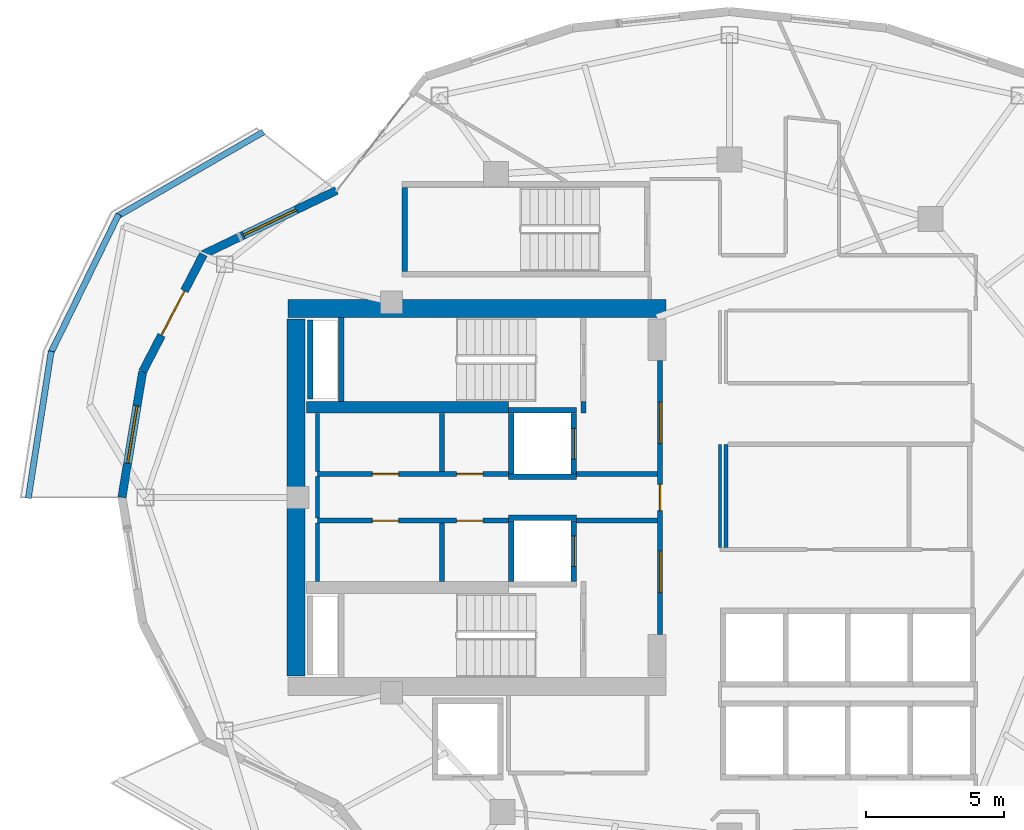
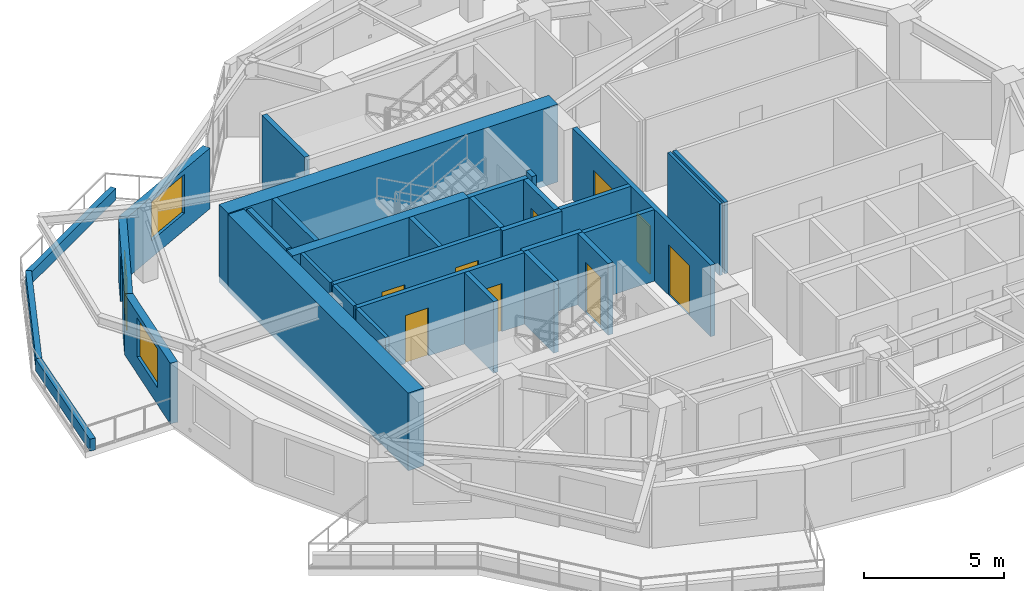
# One storey, part 7 of 13: 32 walls, 10 doors, 2 windows, 12 openings.
"""IFC4 building model written with IfcOpenShell, lengths in metres."""

from ifc_helpers import new_model, si_unit, direction, frame, frame_2d, origin, place, context, subcontext, project, spatial, rectangle, extrude, material, layer, layer_set, type_object, element, fill, save


model = new_model("IFC4")

# Units and contexts
model_context = context("Model", 3, precision=1e-05, world=origin(), true_north=direction((0.0, 1.0)))
body_context = subcontext(model_context, "Body", "Model", "MODEL_VIEW")
ifc_project = project(units=[si_unit("LENGTHUNIT", "METRE"), si_unit("AREAUNIT", "SQUARE_METRE"), si_unit("VOLUMEUNIT", "CUBIC_METRE"), si_unit("PLANEANGLEUNIT", "RADIAN"), si_unit("MASSUNIT", "GRAM", prefix="KILO")], contexts=[model_context])

# Site, building, storey
site_placement = place(None, origin())
site = spatial("IfcSite", under=ifc_project, at=site_placement, CompositionType="ELEMENT")
building_placement = place(site_placement, origin())
building = spatial("IfcBuilding", under=site, at=building_placement, Name="Kolvaren Gate Tower and Convention Centre", CompositionType="ELEMENT")
storey_placement = place(building_placement, frame((0.0, 0.0, 142.699951171875)))
storey = spatial("IfcBuildingStorey", under=building, at=storey_placement, Name="L36", CompositionType="ELEMENT", Elevation=142.699951171875)

# Wall
ifc_material_1 = material(Name="Autoclaved Aerated Masonry Blockwork Class 4 (4.0 MPa)", Category="masonry")
ifc_layer_1 = layer(ifc_material_1, 0.179931640625)
ifc_layer_set_1 = layer_set([ifc_layer_1], Name="Autoclaved Aerated Masonry Blockwork Class 4 (4.0 MPa)")
wall_type_1 = type_object("IfcWallType", Name="ARCH-WL-COMP-180", PredefinedType="SOLIDWALL", material=ifc_layer_set_1)
wall_1_placement = place(storey_placement, frame((24.85009765625, 30.0400390625, 0.0), z_axis=(0.0, 0.0, 1.0), x_axis=(0.0, 1.0, 0.0)))
element("IfcWall", 1, at=wall_1_placement, inside=storey, type_object=wall_type_1, Name="Interior Partition WL-L36-INT-002", PredefinedType="SOLIDWALL", context=body_context, shape_type="SweptSolid", body=[
    extrude(rectangle(XDim=0.419921875, YDim=0.179931640625, at=frame_2d((0.2099609375, 0.0))), origin(), (0.0, 0.0, 1.0), 3.130126953125),
])

# Wall, openings, doors
wall_2_placement = place(storey_placement, frame((27.6201171875, 22.050048828125, 0.0), z_axis=(0.0, 0.0, 1.0), x_axis=(0.0, 1.0, 0.0)))
wall_2 = element("IfcWall", 2, at=wall_2_placement, inside=storey, type_object=wall_type_1, Name="Interior Partition WL-L36-INT-003", PredefinedType="SOLIDWALL", context=body_context, shape_type="SweptSolid", body=[
    extrude(rectangle(XDim=9.89990234375, YDim=0.179931640625, at=frame_2d((4.949951171875, 0.0))), origin(), (0.0, 0.0, 1.0), 3.130126953125),
])
opening_1_placement = place(wall_2_placement, frame((4.47509765625, 0.0, 0.0)))
opening_1 = element("IfcOpeningElement", 3, at=opening_1_placement, cuts=wall_2, Name="Opening DR-01", PredefinedType="OPENING", context=body_context, shape_type="SweptSolid", body=[
    extrude(rectangle(XDim=0.949951171875, YDim=2.10009765625, at=frame_2d((0.47509765625, 1.050048828125))), frame((0.0, 0.099853515625, 0.0), z_axis=(0.0, -1.0, 0.0), x_axis=(1.0, 0.0, 0.0)), (0.0, 0.0, 1.0), 0.199951171875),
])
opening_2_placement = place(wall_2_placement, frame((6.889892578125, 0.0, 0.0)))
opening_2 = element("IfcOpeningElement", 4, at=opening_2_placement, cuts=wall_2, Name="Opening DL-01", PredefinedType="OPENING", context=body_context, shape_type="SweptSolid", body=[
    extrude(rectangle(XDim=1.5, YDim=2.199951171875, at=frame_2d((0.75, 1.10009765625))), frame((0.0, 0.099853515625, 0.0), z_axis=(0.0, -1.0, 0.0), x_axis=(1.0, 0.0, 0.0)), (0.0, 0.0, 1.0), 0.199951171875),
])
opening_3_placement = place(wall_2_placement, frame((1.510009765625, 0.0, 0.0)))
opening_3 = element("IfcOpeningElement", 5, at=opening_3_placement, cuts=wall_2, Name="Opening DL-01", PredefinedType="OPENING", context=body_context, shape_type="SweptSolid", body=[
    extrude(rectangle(XDim=1.5, YDim=2.199951171875, at=frame_2d((0.75, 1.10009765625))), frame((0.0, 0.099853515625, 0.0), z_axis=(0.0, -1.0, 0.0), x_axis=(1.0, 0.0, 0.0)), (0.0, 0.0, 1.0), 0.199951171875),
])
ifc_material_2 = material(Name="Painted Architectural Steelwork ASTM A500 Grade C 345 MPa", Category="steel")
door_type_1 = type_object("IfcDoorType", Name="ARCH-DR-LOBBY-1500", OperationType="DOUBLE_DOOR_SINGLE_SWING", PredefinedType="DOOR", material=ifc_material_2)
door_1_placement = place(opening_2_placement, origin())
door_1 = element("IfcDoor", 6, at=door_1_placement, inside=storey, type_object=door_type_1, Name="North Firefighting Stair and Lift Lobby Door", OperationType="DOUBLE_DOOR_SINGLE_SWING", OverallHeight=2.199951171875, OverallWidth=1.5, PredefinedType="DOOR", context=body_context, shape_type="SweptSolid", body=[
    extrude(rectangle(XDim=1.5, YDim=2.199951171875, at=frame_2d((0.75, 1.10009765625))), frame((0.0, 0.02490234375, 0.0), z_axis=(0.0, -1.0, 0.0), x_axis=(1.0, 0.0, 0.0)), (0.0, 0.0, 1.0), 0.050048828125),
])
fill(opening_2, door_1)
door_2_placement = place(opening_3_placement, origin())
door_2 = element("IfcDoor", 7, at=door_2_placement, inside=storey, type_object=door_type_1, Name="South Firefighting Stair and Lift Lobby Door", OperationType="DOUBLE_DOOR_SINGLE_SWING", OverallHeight=2.199951171875, OverallWidth=1.5, PredefinedType="DOOR", context=body_context, shape_type="SweptSolid", body=[
    extrude(rectangle(XDim=1.5, YDim=2.199951171875, at=frame_2d((0.75, 1.10009765625))), frame((0.0, 0.02490234375, 0.0), z_axis=(0.0, -1.0, 0.0), x_axis=(1.0, 0.0, 0.0)), (0.0, 0.0, 1.0), 0.050048828125),
])
fill(opening_3, door_2)
door_type_2 = type_object("IfcDoorType", Name="ARCH-DR-RISER-950", OperationType="SINGLE_SWING_RIGHT", PredefinedType="DOOR", material=ifc_material_2)
door_3_placement = place(opening_1_placement, origin())
door_3 = element("IfcDoor", 8, at=door_3_placement, inside=storey, type_object=door_type_2, Name="Central MEP Service Corridor Door", OperationType="SINGLE_SWING_RIGHT", OverallHeight=2.10009765625, OverallWidth=0.949951171875, PredefinedType="DOOR", context=body_context, shape_type="SweptSolid", body=[
    extrude(rectangle(XDim=0.949951171875, YDim=2.10009765625, at=frame_2d((0.47509765625, 1.050048828125))), frame((0.0, 0.02490234375, 0.0), z_axis=(0.0, -1.0, 0.0), x_axis=(1.0, 0.0, 0.0)), (0.0, 0.0, 1.0), 0.050048828125),
])
fill(opening_1, door_3)

wall_3_placement = place(storey_placement, frame((15.25, 27.840087890625, 0.0), z_axis=(0.0, 0.0, 1.0), x_axis=(1.0, 0.0, 0.0)))
wall_3 = element("IfcWall", 9, at=wall_3_placement, inside=storey, type_object=wall_type_1, Name="Interior Partition WL-L36-INT-004", PredefinedType="SOLIDWALL", context=body_context, shape_type="SweptSolid", body=[
    extrude(rectangle(XDim=6.89990234375, YDim=0.179931640625, at=frame_2d((3.449951171875, 0.0))), origin(), (0.0, 0.0, 1.0), 3.130126953125),
])
opening_4_placement = place(wall_3_placement, frame((5.02001953125, 0.0, 0.0)))
opening_4 = element("IfcOpeningElement", 10, at=opening_4_placement, cuts=wall_3, Name="Opening DR-01", PredefinedType="OPENING", context=body_context, shape_type="SweptSolid", body=[
    extrude(rectangle(XDim=0.949951171875, YDim=2.10009765625, at=frame_2d((0.47509765625, 1.050048828125))), frame((0.0, 0.099853515625, 0.0), z_axis=(0.0, -1.0, 0.0), x_axis=(1.0, 0.0, 0.0)), (0.0, 0.0, 1.0), 0.199951171875),
])
opening_5_placement = place(wall_3_placement, frame((1.97998046875, 0.0, 0.0)))
opening_5 = element("IfcOpeningElement", 11, at=opening_5_placement, cuts=wall_3, Name="Opening DR-01", PredefinedType="OPENING", context=body_context, shape_type="SweptSolid", body=[
    extrude(rectangle(XDim=0.949951171875, YDim=2.10009765625, at=frame_2d((0.47509765625, 1.050048828125))), frame((0.0, 0.099853515625, 0.0), z_axis=(0.0, -1.0, 0.0), x_axis=(1.0, 0.0, 0.0)), (0.0, 0.0, 1.0), 0.199951171875),
])
door_4_placement = place(opening_4_placement, origin())
door_4 = element("IfcDoor", 12, at=door_4_placement, inside=storey, type_object=door_type_2, Name="Electrical Switchgear Closet Door", OperationType="SINGLE_SWING_LEFT", OverallHeight=2.10009765625, OverallWidth=0.949951171875, PredefinedType="DOOR", context=body_context, shape_type="SweptSolid", body=[
    extrude(rectangle(XDim=0.949951171875, YDim=2.10009765625, at=frame_2d((0.47509765625, 1.050048828125))), frame((0.0, 0.02490234375, 0.0), z_axis=(0.0, -1.0, 0.0), x_axis=(1.0, 0.0, 0.0)), (0.0, 0.0, 1.0), 0.050048828125),
])
fill(opening_4, door_4)
door_5_placement = place(opening_5_placement, origin())
door_5 = element("IfcDoor", 13, at=door_5_placement, inside=storey, type_object=door_type_2, Name="Staff Powder Washroom Door", OperationType="SINGLE_SWING_LEFT", OverallHeight=2.10009765625, OverallWidth=0.949951171875, PredefinedType="DOOR", context=body_context, shape_type="SweptSolid", body=[
    extrude(rectangle(XDim=0.949951171875, YDim=2.10009765625, at=frame_2d((0.47509765625, 1.050048828125))), frame((0.0, 0.02490234375, 0.0), z_axis=(0.0, -1.0, 0.0), x_axis=(1.0, 0.0, 0.0)), (0.0, 0.0, 1.0), 0.050048828125),
])
fill(opening_5, door_5)

# Wall
wall_4_placement = place(storey_placement, frame((24.60009765625, 27.840087890625, 0.0), z_axis=(0.0, 0.0, 1.0), x_axis=(1.0, 0.0, 0.0)))
element("IfcWall", 14, at=wall_4_placement, inside=storey, type_object=wall_type_1, Name="Interior Partition WL-L36-INT-004 (2)", PredefinedType="SOLIDWALL", context=body_context, shape_type="SweptSolid", body=[
    extrude(rectangle(XDim=2.927978515625, YDim=0.179931640625, at=frame_2d((1.4638671875, 0.0))), origin(), (0.0, 0.0, 1.0), 3.130126953125),
])

# Wall, openings, doors
wall_5_placement = place(storey_placement, frame((15.25, 26.159912109375, 0.0), z_axis=(0.0, 0.0, 1.0), x_axis=(1.0, 0.0, 0.0)))
wall_5 = element("IfcWall", 15, at=wall_5_placement, inside=storey, type_object=wall_type_1, Name="Interior Partition WL-L36-INT-005", PredefinedType="SOLIDWALL", context=body_context, shape_type="SweptSolid", body=[
    extrude(rectangle(XDim=6.89990234375, YDim=0.179931640625, at=frame_2d((3.449951171875, 0.0))), origin(), (0.0, 0.0, 1.0), 3.130126953125),
])
opening_6_placement = place(wall_5_placement, frame((5.02001953125, 0.0, 0.0)))
opening_6 = element("IfcOpeningElement", 16, at=opening_6_placement, cuts=wall_5, Name="Opening DR-01", PredefinedType="OPENING", context=body_context, shape_type="SweptSolid", body=[
    extrude(rectangle(XDim=0.949951171875, YDim=2.10009765625, at=frame_2d((0.47509765625, 1.050048828125))), frame((0.0, 0.099853515625, 0.0), z_axis=(0.0, -1.0, 0.0), x_axis=(1.0, 0.0, 0.0)), (0.0, 0.0, 1.0), 0.199951171875),
])
opening_7_placement = place(wall_5_placement, frame((1.97998046875, 0.0, 0.0)))
opening_7 = element("IfcOpeningElement", 17, at=opening_7_placement, cuts=wall_5, Name="Opening DR-01", PredefinedType="OPENING", context=body_context, shape_type="SweptSolid", body=[
    extrude(rectangle(XDim=0.949951171875, YDim=2.10009765625, at=frame_2d((0.47509765625, 1.050048828125))), frame((0.0, 0.099853515625, 0.0), z_axis=(0.0, -1.0, 0.0), x_axis=(1.0, 0.0, 0.0)), (0.0, 0.0, 1.0), 0.199951171875),
])
door_6_placement = place(opening_6_placement, origin())
door_6 = element("IfcDoor", 18, at=door_6_placement, inside=storey, type_object=door_type_2, Name="Domestic Water Meter Closet Door", OperationType="SINGLE_SWING_RIGHT", OverallHeight=2.10009765625, OverallWidth=0.949951171875, PredefinedType="DOOR", context=body_context, shape_type="SweptSolid", body=[
    extrude(rectangle(XDim=0.949951171875, YDim=2.10009765625, at=frame_2d((0.47509765625, 1.050048828125))), frame((0.0, 0.02490234375, 0.0), z_axis=(0.0, -1.0, 0.0), x_axis=(1.0, 0.0, 0.0)), (0.0, 0.0, 1.0), 0.050048828125),
])
fill(opening_6, door_6)
door_7_placement = place(opening_7_placement, origin())
door_7 = element("IfcDoor", 19, at=door_7_placement, inside=storey, type_object=door_type_2, Name="Janitor Equipment Store Door", OperationType="SINGLE_SWING_RIGHT", OverallHeight=2.10009765625, OverallWidth=0.949951171875, PredefinedType="DOOR", context=body_context, shape_type="SweptSolid", body=[
    extrude(rectangle(XDim=0.949951171875, YDim=2.10009765625, at=frame_2d((0.47509765625, 1.050048828125))), frame((0.0, 0.02490234375, 0.0), z_axis=(0.0, -1.0, 0.0), x_axis=(1.0, 0.0, 0.0)), (0.0, 0.0, 1.0), 0.050048828125),
])
fill(opening_7, door_7)

# Walls
wall_6_placement = place(storey_placement, frame((24.60009765625, 26.159912109375, 0.0), z_axis=(0.0, 0.0, 1.0), x_axis=(1.0, 0.0, 0.0)))
element("IfcWall", 20, at=wall_6_placement, inside=storey, type_object=wall_type_1, Name="Interior Partition WL-L36-INT-005 (2)", PredefinedType="SOLIDWALL", context=body_context, shape_type="SweptSolid", body=[
    extrude(rectangle(XDim=2.927978515625, YDim=0.179931640625, at=frame_2d((1.4638671875, 0.0))), origin(), (0.0, 0.0, 1.0), 3.130126953125),
])
for number, where, z_axis, x_axis, name in (
    (21, (19.75, 23.9619140625, 0.0), (0.0, 0.0, 1.0), (0.0, 1.0, 0.0), "Interior Partition WL-L36-INT-007"),
    (22, (19.75, 27.931884765625, 0.0), (0.0, 0.0, 1.0), (0.0, 1.0, 0.0), "Interior Partition WL-L36-INT-008"),
):
    element("IfcWall", number, at=place(storey_placement, frame(where, z_axis=z_axis, x_axis=x_axis)), inside=storey, type_object=wall_type_1, Name=name, PredefinedType="SOLIDWALL", context=body_context, shape_type="SweptSolid", body=[
        extrude(rectangle(XDim=2.106201171875, YDim=0.179931640625, at=frame_2d((1.05322265625, 0.0))), origin(), (0.0, 0.0, 1.0), 3.130126953125),
    ])
ifc_material_3 = material(Name="Fire-Rated Acoustic Gypsum Stud Partition", Category="gypsum")
ifc_layer_2 = layer(ifc_material_3, 0.1201171875)
ifc_layer_set_2 = layer_set([ifc_layer_2], Name="Fire-Rated Acoustic Gypsum Stud Partition")
wall_type_2 = type_object("IfcWallType", Name="ARCH-WL-PART-120", PredefinedType="PARTITIONING", material=ifc_layer_set_2)
wall_7_placement = place(storey_placement, frame((29.780029296875, 25.197021484375, 0.0), z_axis=(0.0, 0.0, 1.0), x_axis=(0.0, 1.0, 0.0)))
element("IfcWall", 23, at=wall_7_placement, inside=storey, type_object=wall_type_2, Name="Interior Partition WL-L36-INT-035", PredefinedType="PARTITIONING", context=body_context, shape_type="SweptSolid", body=[
    extrude(rectangle(XDim=3.722900390625, YDim=0.1201171875, at=frame_2d((1.861328125, 0.0))), origin(), (0.0, 0.0, 1.0), 3.130126953125),
])
ifc_material_4 = material(Name="Piedmont Cream Honed Limestone Cladding", Category="masonry")
ifc_layer_3 = layer(ifc_material_4, 0.219970703125)
ifc_layer_set_3 = layer_set([ifc_layer_3], Name="Piedmont Cream Honed Limestone Cladding")
wall_type_3 = type_object("IfcWallType", Name="ARCH-WL-PLANTER-220", PredefinedType="PARAPET", material=ifc_layer_set_3)
wall_8_placement = place(storey_placement, frame((8.0439453125, 37.16552734375, 0.0), z_axis=(0.0, 0.0, 1.0), x_axis=(0.866058128659, 0.499943314571, 0.0)))
element("IfcWall", 24, at=wall_8_placement, inside=storey, type_object=wall_type_3, Name="Vertical-Forest Balcony Stone Planter Kerb PK-L36-2.1", PredefinedType="PARAPET", context=body_context, shape_type="SweptSolid", body=[
    extrude(rectangle(XDim=6.060302734375, YDim=0.219970703125, at=frame_2d((3.0302734375, 0.0))), origin(), (0.0, 0.0, 1.0), 0.52001953125),
])
wall_9_placement = place(storey_placement, frame((5.6220703125, 32.22119140625, 0.0), z_axis=(0.0, 0.0, 1.0), x_axis=(0.439637174641, 0.898175458735, 0.0)))
element("IfcWall", 25, at=wall_9_placement, inside=storey, type_object=wall_type_3, Name="Vertical-Forest Balcony Stone Planter Kerb PK-L36-2.2", PredefinedType="PARAPET", context=body_context, shape_type="SweptSolid", body=[
    extrude(rectangle(XDim=5.567138671875, YDim=0.219970703125, at=frame_2d((2.78369140625, 0.0))), origin(), (0.0, 0.0, 1.0), 0.52001953125),
])
wall_10_placement = place(storey_placement, frame((4.805908203125, 26.970703125, 0.0), z_axis=(0.0, 0.0, 1.0), x_axis=(0.154245214003, 0.988032597619, 0.0)))
element("IfcWall", 26, at=wall_10_placement, inside=storey, type_object=wall_type_3, Name="Vertical-Forest Balcony Stone Planter Kerb PK-L36-2.3", PredefinedType="PARAPET", context=body_context, shape_type="SweptSolid", body=[
    extrude(rectangle(XDim=5.37353515625, YDim=0.219970703125, at=frame_2d((2.686767578125, 0.0))), origin(), (0.0, 0.0, 1.0), 0.52001953125),
])
ifc_layer_4 = layer(ifc_material_1, 0.199951171875)
ifc_layer_set_4 = layer_set([ifc_layer_4], Name="Autoclaved Aerated Masonry Blockwork Class 4 (4.0 MPa)")
wall_type_4 = type_object("IfcWallType", Name="ARCH-WL-SHAFT-200", PredefinedType="SOLIDWALL", material=ifc_layer_set_4)
for number, where, z_axis, x_axis, name in (
    (27, (22.14990234375, 30.139892578125, 0.0), (0.0, 0.0, 1.0), (1.0, 0.0, 0.0), "Elevator FF-01 L36 Fire Shaft Wall N"),
    (28, (22.14990234375, 27.739990234375, 0.0), (0.0, 0.0, 1.0), (1.0, 0.0, 0.0), "Elevator FF-01 L36 Fire Shaft Wall S"),
):
    element("IfcWall", number, at=place(storey_placement, frame(where, z_axis=z_axis, x_axis=x_axis)), inside=storey, type_object=wall_type_4, Name=name, PredefinedType="SOLIDWALL", context=body_context, shape_type="SweptSolid", body=[
        extrude(rectangle(XDim=2.4501953125, YDim=0.199951171875, at=frame_2d((1.22509765625, 0.0))), origin(), (0.0, 0.0, 1.0), 3.130126953125),
    ])
wall_11_placement = place(storey_placement, frame((22.25, 27.85009765625, 0.0), z_axis=(0.0, 0.0, 1.0), x_axis=(0.0, 1.0, 0.0)))
element("IfcWall", 29, at=wall_11_placement, inside=storey, type_object=wall_type_4, Name="Elevator FF-01 L36 Fire Shaft Wall W", PredefinedType="SOLIDWALL", context=body_context, shape_type="SweptSolid", body=[
    extrude(rectangle(XDim=2.179931640625, YDim=0.199951171875, at=frame_2d((1.08984375, 0.0))), origin(), (0.0, 0.0, 1.0), 3.130126953125),
])

# Wall, opening, door
wall_12_placement = place(storey_placement, frame((24.5, 27.85009765625, 0.0), z_axis=(0.0, 0.0, 1.0), x_axis=(0.0, 1.0, 0.0)))
wall_12 = element("IfcWall", 30, at=wall_12_placement, inside=storey, type_object=wall_type_4, Name="Elevator FF-01 L36 Fire Shaft Wall E", PredefinedType="SOLIDWALL", context=body_context, shape_type="SweptSolid", body=[
    extrude(rectangle(XDim=2.179931640625, YDim=0.199951171875, at=frame_2d((1.08984375, 0.0))), origin(), (0.0, 0.0, 1.0), 3.130126953125),
])
opening_8_placement = place(wall_12_placement, frame((0.5400390625, 0.0, 0.0)))
opening_8 = element("IfcOpeningElement", 31, at=opening_8_placement, cuts=wall_12, Name="Opening LD", PredefinedType="OPENING", context=body_context, shape_type="SweptSolid", body=[
    extrude(rectangle(XDim=1.10009765625, YDim=2.199951171875, at=frame_2d((0.550048828125, 1.10009765625))), frame((0.0, 0.10986328125, 0.0), z_axis=(0.0, -1.0, 0.0), x_axis=(1.0, 0.0, 0.0)), (0.0, 0.0, 1.0), 0.219970703125),
])
ifc_material_5 = material(Name="Brushed Stainless Steel Grade 316L", Category="steel")
door_type_3 = type_object("IfcDoorType", Name="ARCH-DR-LIFT-1100", OperationType="SLIDING_TO_LEFT", PredefinedType="DOOR", material=ifc_material_5)
door_8_placement = place(opening_8_placement, origin())
door_8 = element("IfcDoor", 32, at=door_8_placement, inside=storey, type_object=door_type_3, Name="Elevator FF-01 L36 Sliding Landing Door", OperationType="SLIDING_TO_LEFT", OverallHeight=2.199951171875, OverallWidth=1.10009765625, PredefinedType="DOOR", context=body_context, shape_type="SweptSolid", body=[
    extrude(rectangle(XDim=1.10009765625, YDim=2.199951171875, at=frame_2d((0.550048828125, 1.10009765625))), frame((0.0, 0.02490234375, 0.0), z_axis=(0.0, -1.0, 0.0), x_axis=(1.0, 0.0, 0.0)), (0.0, 0.0, 1.0), 0.050048828125),
])
fill(opening_8, door_8)

# Walls
wall_13_placement = place(storey_placement, frame((22.14990234375, 26.260009765625, 0.0), z_axis=(0.0, 0.0, 1.0), x_axis=(1.0, 0.0, 0.0)))
element("IfcWall", 33, at=wall_13_placement, inside=storey, type_object=wall_type_4, Name="Elevator FF-02 L36 Fire Shaft Wall N", PredefinedType="SOLIDWALL", context=body_context, shape_type="SweptSolid", body=[
    extrude(rectangle(XDim=2.4501953125, YDim=0.199951171875, at=frame_2d((1.22509765625, 0.0))), origin(), (0.0, 0.0, 1.0), 3.130126953125),
])
wall_14_placement = place(storey_placement, frame((22.25, 23.969970703125, 0.0), z_axis=(0.0, 0.0, 1.0), x_axis=(0.0, 1.0, 0.0)))
element("IfcWall", 34, at=wall_14_placement, inside=storey, type_object=wall_type_4, Name="Elevator FF-02 L36 Fire Shaft Wall W", PredefinedType="SOLIDWALL", context=body_context, shape_type="SweptSolid", body=[
    extrude(rectangle(XDim=2.179931640625, YDim=0.199951171875, at=frame_2d((1.08984375, 0.0))), origin(), (0.0, 0.0, 1.0), 3.130126953125),
])

# Wall, opening, door
wall_15_placement = place(storey_placement, frame((24.5, 23.969970703125, 0.0), z_axis=(0.0, 0.0, 1.0), x_axis=(0.0, 1.0, 0.0)))
wall_15 = element("IfcWall", 35, at=wall_15_placement, inside=storey, type_object=wall_type_4, Name="Elevator FF-02 L36 Fire Shaft Wall E", PredefinedType="SOLIDWALL", context=body_context, shape_type="SweptSolid", body=[
    extrude(rectangle(XDim=2.179931640625, YDim=0.199951171875, at=frame_2d((1.08984375, 0.0))), origin(), (0.0, 0.0, 1.0), 3.130126953125),
])
opening_9_placement = place(wall_15_placement, frame((0.5400390625, 0.0, 0.0)))
opening_9 = element("IfcOpeningElement", 36, at=opening_9_placement, cuts=wall_15, Name="Opening LD", PredefinedType="OPENING", context=body_context, shape_type="SweptSolid", body=[
    extrude(rectangle(XDim=1.10009765625, YDim=2.199951171875, at=frame_2d((0.550048828125, 1.10009765625))), frame((0.0, 0.10986328125, 0.0), z_axis=(0.0, -1.0, 0.0), x_axis=(1.0, 0.0, 0.0)), (0.0, 0.0, 1.0), 0.219970703125),
])
door_9_placement = place(opening_9_placement, origin())
door_9 = element("IfcDoor", 37, at=door_9_placement, inside=storey, type_object=door_type_3, Name="Elevator FF-02 L36 Sliding Landing Door", OperationType="SLIDING_TO_LEFT", OverallHeight=2.199951171875, OverallWidth=1.10009765625, PredefinedType="DOOR", context=body_context, shape_type="SweptSolid", body=[
    extrude(rectangle(XDim=1.10009765625, YDim=2.199951171875, at=frame_2d((0.550048828125, 1.10009765625))), frame((0.0, 0.02490234375, 0.0), z_axis=(0.0, -1.0, 0.0), x_axis=(1.0, 0.0, 0.0)), (0.0, 0.0, 1.0), 0.050048828125),
])
fill(opening_9, door_9)

# Wall
wall_16_placement = place(storey_placement, frame((14.989990234375, 30.550048828125, 0.0), z_axis=(0.0, 0.0, 1.0), x_axis=(0.0, 1.0, 0.0)))
element("IfcWall", 38, at=wall_16_placement, inside=storey, type_object=wall_type_4, Name="Vertical Shaft HVR L36 EI-120 Enclosure Wall W", PredefinedType="SOLIDWALL", context=body_context, shape_type="SweptSolid", body=[
    extrude(rectangle(XDim=2.849853515625, YDim=0.199951171875, at=frame_2d((1.4248046875, 0.0))), origin(), (0.0, 0.0, 1.0), 3.130126953125),
])

# Wall, opening, window
ifc_layer_5 = layer(ifc_material_4, 0.300048828125)
ifc_layer_set_5 = layer_set([ifc_layer_5], Name="Piedmont Cream Honed Limestone Cladding")
wall_type_5 = type_object("IfcWallType", Name="ARCH-WL-STONE-300", PredefinedType="SOLIDWALL", material=ifc_layer_set_5)
wall_17_placement = place(storey_placement, frame((11.126708984375, 35.77490234375, 0.0), z_axis=(0.0, 0.0, 1.0), x_axis=(0.901353070301, 0.433085029363, 0.0)))
wall_17 = element("IfcWall", 39, at=wall_17_placement, inside=storey, type_object=wall_type_5, Name="Tower L36 Honed Stone Spandrel Wall EW-09", PredefinedType="SOLIDWALL", context=body_context, shape_type="SweptSolid", body=[
    extrude(rectangle(XDim=5.336181640625, YDim=0.300048828125, at=frame_2d((2.66796875, 0.0))), origin(), (0.0, 0.0, 1.0), 2.653076171875),
])
opening_10_placement = place(wall_17_placement, frame((1.617919921875, 0.0, 0.739990234375)))
opening_10 = element("IfcOpeningElement", 40, at=opening_10_placement, cuts=wall_17, Name="Opening W-02", PredefinedType="OPENING", context=body_context, shape_type="SweptSolid", body=[
    extrude(rectangle(XDim=2.10009765625, YDim=1.699951171875, at=frame_2d((1.050048828125, 0.85009765625))), frame((0.0, 0.159912109375, 0.0), z_axis=(0.0, -1.0, 0.0), x_axis=(1.0, 0.0, 0.0)), (0.0, 0.0, 1.0), 0.320068359375),
])
ifc_material_6 = material(Name="Low-E Triple Insulated Glazing Unit 44 mm", Category="glass")
window_type = type_object("IfcWindowType", Name="ARCH-WN-HTL-2100", PartitioningType="SINGLE_PANEL", PredefinedType="WINDOW", material=ifc_material_6)
window_1_placement = place(opening_10_placement, origin())
window_1 = element("IfcWindow", 41, at=window_1_placement, inside=storey, type_object=window_type, Name="Tower L36 Punched Stone Facade Window W-09", OverallHeight=1.699951171875, OverallWidth=2.10009765625, PartitioningType="SINGLE_PANEL", PredefinedType="WINDOW", context=body_context, shape_type="SweptSolid", body=[
    extrude(rectangle(XDim=2.10009765625, YDim=1.699951171875, at=frame_2d((1.050048828125, 0.85009765625))), frame((0.0, 0.030029296875, 0.0), z_axis=(0.0, -1.0, 0.0), x_axis=(1.0, 0.0, 0.0)), (0.0, 0.0, 1.0), 0.06005859375),
])
fill(opening_10, window_1)

# Wall, opening, door
wall_18_placement = place(storey_placement, frame((8.93505859375, 31.542236328125, 0.0), z_axis=(0.0, 0.0, 1.0), x_axis=(0.459810251451, 0.888017191647, 0.0)))
wall_18 = element("IfcWall", 42, at=wall_18_placement, inside=storey, type_object=wall_type_5, Name="Tower L36 Honed Stone Spandrel Wall EW-10", PredefinedType="SOLIDWALL", context=body_context, shape_type="SweptSolid", body=[
    extrude(rectangle(XDim=4.766357421875, YDim=0.300048828125, at=frame_2d((2.38330078125, 0.0))), origin(), (0.0, 0.0, 1.0), 2.653076171875),
])
opening_11_placement = place(wall_18_placement, frame((1.48291015625, 0.0, 0.0)))
opening_11 = element("IfcOpeningElement", 43, at=opening_11_placement, cuts=wall_18, Name="Opening DB-01", PredefinedType="OPENING", context=body_context, shape_type="SweptSolid", body=[
    extrude(rectangle(XDim=1.800048828125, YDim=2.25, at=frame_2d((0.89990234375, 1.125))), frame((0.0, 0.159912109375, 0.0), z_axis=(0.0, -1.0, 0.0), x_axis=(1.0, 0.0, 0.0)), (0.0, 0.0, 1.0), 0.320068359375),
])
ifc_material_7 = material(Name="Anodized Architectural Aluminium Alloy 6063-T6", Category="aluminium")
door_type_4 = type_object("IfcDoorType", Name="ARCH-DR-BALC-1800", OperationType="SLIDING_TO_LEFT", PredefinedType="DOOR", material=ifc_material_7)
door_10_placement = place(opening_11_placement, origin())
door_10 = element("IfcDoor", 44, at=door_10_placement, inside=storey, type_object=door_type_4, Name="Planted Sky Terrace Access Door DB-L36-10", OperationType="SLIDING_TO_LEFT", OverallHeight=2.25, OverallWidth=1.800048828125, PredefinedType="DOOR", context=body_context, shape_type="SweptSolid", body=[
    extrude(rectangle(XDim=1.800048828125, YDim=2.25, at=frame_2d((0.89990234375, 1.125))), frame((0.0, 0.02490234375, 0.0), z_axis=(0.0, -1.0, 0.0), x_axis=(1.0, 0.0, 0.0)), (0.0, 0.0, 1.0), 0.050048828125),
])
fill(opening_11, door_10)

# Wall, opening, window
wall_19_placement = place(storey_placement, frame((8.1875, 27.0, 0.0), z_axis=(0.0, 0.0, 1.0), x_axis=(0.162394765401, 0.986725868806, 0.0)))
wall_19 = element("IfcWall", 45, at=wall_19_placement, inside=storey, type_object=wall_type_5, Name="Tower L36 Honed Stone Spandrel Wall EW-11", PredefinedType="SOLIDWALL", context=body_context, shape_type="SweptSolid", body=[
    extrude(rectangle(XDim=4.603271484375, YDim=0.300048828125, at=frame_2d((2.3017578125, 0.0))), origin(), (0.0, 0.0, 1.0), 2.653076171875),
])
opening_12_placement = place(wall_19_placement, frame((1.251953125, 0.0, 0.739990234375)))
opening_12 = element("IfcOpeningElement", 46, at=opening_12_placement, cuts=wall_19, Name="Opening W-02", PredefinedType="OPENING", context=body_context, shape_type="SweptSolid", body=[
    extrude(rectangle(XDim=2.10009765625, YDim=1.699951171875, at=frame_2d((1.050048828125, 0.85009765625))), frame((0.0, 0.159912109375, 0.0), z_axis=(0.0, -1.0, 0.0), x_axis=(1.0, 0.0, 0.0)), (0.0, 0.0, 1.0), 0.320068359375),
])
window_2_placement = place(opening_12_placement, origin())
window_2 = element("IfcWindow", 47, at=window_2_placement, inside=storey, type_object=window_type, Name="Tower L36 Punched Stone Facade Window W-11", OverallHeight=1.699951171875, OverallWidth=2.10009765625, PartitioningType="SINGLE_PANEL", PredefinedType="WINDOW", context=body_context, shape_type="SweptSolid", body=[
    extrude(rectangle(XDim=2.10009765625, YDim=1.699951171875, at=frame_2d((1.050048828125, 0.85009765625))), frame((0.0, 0.030029296875, 0.0), z_axis=(0.0, -1.0, 0.0), x_axis=(1.0, 0.0, 0.0)), (0.0, 0.0, 1.0), 0.06005859375),
])
fill(opening_12, window_2)

# Walls
ifc_material_8 = material(Name="Moisture-Resistant Cement-Board Acoustic Partition", Category="gypsum")
ifc_layer_6 = layer(ifc_material_8, 0.14990234375)
ifc_layer_set_6 = layer_set([ifc_layer_6], Name="Moisture-Resistant Cement-Board Acoustic Partition")
wall_type_6 = type_object("IfcWallType", Name="ARCH-WL-WET-150", PredefinedType="PARTITIONING", material=ifc_layer_set_6)
wall_20_placement = place(storey_placement, frame((15.25, 23.9619140625, 0.0), z_axis=(0.0, 0.0, 1.0), x_axis=(0.0, 1.0, 0.0)))
element("IfcWall", 48, at=wall_20_placement, inside=storey, type_object=wall_type_6, Name="Interior Partition WL-L36-INT-006", PredefinedType="PARTITIONING", context=body_context, shape_type="SweptSolid", body=[
    extrude(rectangle(XDim=2.106201171875, YDim=0.14990234375, at=frame_2d((1.05322265625, 0.0))), origin(), (0.0, 0.0, 1.0), 3.130126953125),
])
wall_21_placement = place(storey_placement, frame((15.25, 26.251953125, 0.0), z_axis=(0.0, 0.0, 1.0), x_axis=(0.0, 1.0, 0.0)))
element("IfcWall", 49, at=wall_21_placement, inside=storey, type_object=wall_type_6, Name="Interior Partition WL-L36-INT-006 (2)", PredefinedType="PARTITIONING", context=body_context, shape_type="SweptSolid", body=[
    extrude(rectangle(XDim=1.49609375, YDim=0.14990234375, at=frame_2d((0.748046875, 0.0))), origin(), (0.0, 0.0, 1.0), 3.130126953125),
])
wall_22_placement = place(storey_placement, frame((15.25, 27.931884765625, 0.0), z_axis=(0.0, 0.0, 1.0), x_axis=(0.0, 1.0, 0.0)))
element("IfcWall", 50, at=wall_22_placement, inside=storey, type_object=wall_type_6, Name="Interior Partition WL-L36-INT-006 (3)", PredefinedType="PARTITIONING", context=body_context, shape_type="SweptSolid", body=[
    extrude(rectangle(XDim=2.106201171875, YDim=0.14990234375, at=frame_2d((1.05322265625, 0.0))), origin(), (0.0, 0.0, 1.0), 3.130126953125),
])
wall_23_placement = place(storey_placement, frame((30.0, 25.197021484375, 0.0), z_axis=(0.0, 0.0, 1.0), x_axis=(0.0, 1.0, 0.0)))
element("IfcWall", 51, at=wall_23_placement, inside=storey, type_object=wall_type_6, Name="Interior Partition WL-L36-INT-014", PredefinedType="PARTITIONING", context=body_context, shape_type="SweptSolid", body=[
    extrude(rectangle(XDim=3.722900390625, YDim=0.14990234375, at=frame_2d((1.861328125, 0.0))), origin(), (0.0, 0.0, 1.0), 3.130126953125),
])
ifc_material_9 = material(Name="Concrete C50/60", Category="concrete")
ifc_layer_7 = layer(ifc_material_9, 0.419921875)
ifc_layer_set_7 = layer_set([ifc_layer_7], Name="Concrete C50/60")
wall_type_7 = type_object("IfcWallType", Name="STR-WL-CONV-420", PredefinedType="SHEAR", material=ifc_layer_set_7)
wall_24_placement = place(storey_placement, frame((14.85009765625, 30.25, -0.27001953125), z_axis=(0.0, 0.0, 1.0), x_axis=(1.0, 0.0, 0.0)))
element("IfcWall", 52, at=wall_24_placement, inside=storey, type_object=wall_type_7, Name="Tower L36 Offset Core Shear Wall WN", PredefinedType="SHEAR", context=body_context, shape_type="SweptSolid", body=[
    extrude(rectangle(XDim=7.2998046875, YDim=0.419921875, at=frame_2d((3.64990234375, 0.0))), origin(), (0.0, 0.0, 1.0), 3.400146484375),
])
ifc_material_10 = material(Name="Concrete C60/75", Category="concrete")
ifc_layer_8 = layer(ifc_material_10, 0.64990234375)
ifc_layer_set_8 = layer_set([ifc_layer_8], Name="Concrete C60/75")
wall_type_8 = type_object("IfcWallType", Name="STR-WL-CORE-650", PredefinedType="SHEAR", material=ifc_layer_set_8)
wall_25_placement = place(storey_placement, frame((14.175048828125, 33.824951171875, -0.27001953125), z_axis=(0.0, 0.0, 1.0), x_axis=(1.0, 0.0, 0.0)))
element("IfcWall", 53, at=wall_25_placement, inside=storey, type_object=wall_type_8, Name="Tower L36 Offset Core Shear Wall N", PredefinedType="SHEAR", context=body_context, shape_type="SweptSolid", body=[
    extrude(rectangle(XDim=13.64990234375, YDim=0.64990234375, at=frame_2d((6.824951171875, 0.0))), origin(), (0.0, 0.0, 1.0), 3.400146484375),
])
wall_26_placement = place(storey_placement, frame((14.47509765625, 20.550048828125, -0.27001953125), z_axis=(0.0, 0.0, 1.0), x_axis=(0.0, 1.0, 0.0)))
element("IfcWall", 54, at=wall_26_placement, inside=storey, type_object=wall_type_8, Name="Tower L36 Offset Core Shear Wall W", PredefinedType="SHEAR", context=body_context, shape_type="SweptSolid", body=[
    extrude(rectangle(XDim=12.89990234375, YDim=0.64990234375, at=frame_2d((6.449951171875, 0.0))), origin(), (0.0, 0.0, 1.0), 3.400146484375),
])
ifc_layer_9 = layer(ifc_material_9, 0.199951171875)
ifc_layer_set_9 = layer_set([ifc_layer_9], Name="Concrete C50/60")
wall_type_9 = type_object("IfcWallType", Name="STR-WL-SHAFT-200", PredefinedType="SHEAR", material=ifc_layer_set_9)
wall_27_placement = place(storey_placement, frame((16.10009765625, 30.4619140625, -0.27001953125), z_axis=(0.0, 0.0, 1.0), x_axis=(0.0, 1.0, 0.0)))
element("IfcWall", 55, at=wall_27_placement, inside=storey, type_object=wall_type_9, Name="Tower North Exit Stair ST-T1 L36 Structural Shear Enclosure Wall FAR", PredefinedType="SHEAR", context=body_context, shape_type="SweptSolid", body=[
    extrude(rectangle(XDim=3.0361328125, YDim=0.199951171875, at=frame_2d((1.51806640625, 0.0))), origin(), (0.0, 0.0, 1.0), 3.400146484375),
])
wall_28_placement = place(storey_placement, frame((18.39990234375, 35.159912109375, -0.27001953125), z_axis=(0.0, 0.0, 1.0), x_axis=(0.0, 1.0, 0.0)))
element("IfcWall", 56, at=wall_28_placement, inside=storey, type_object=wall_type_9, Name="Tower Mid-Zone Exit Stair ST-T3 L36 Structural Shear Enclosure Wall FAR", PredefinedType="SHEAR", context=body_context, shape_type="SweptSolid", body=[
    extrude(rectangle(XDim=3.0400390625, YDim=0.199951171875, at=frame_2d((1.52001953125, 0.0))), origin(), (0.0, 0.0, 1.0), 3.400146484375),
])

save(model, "model.ifc")
